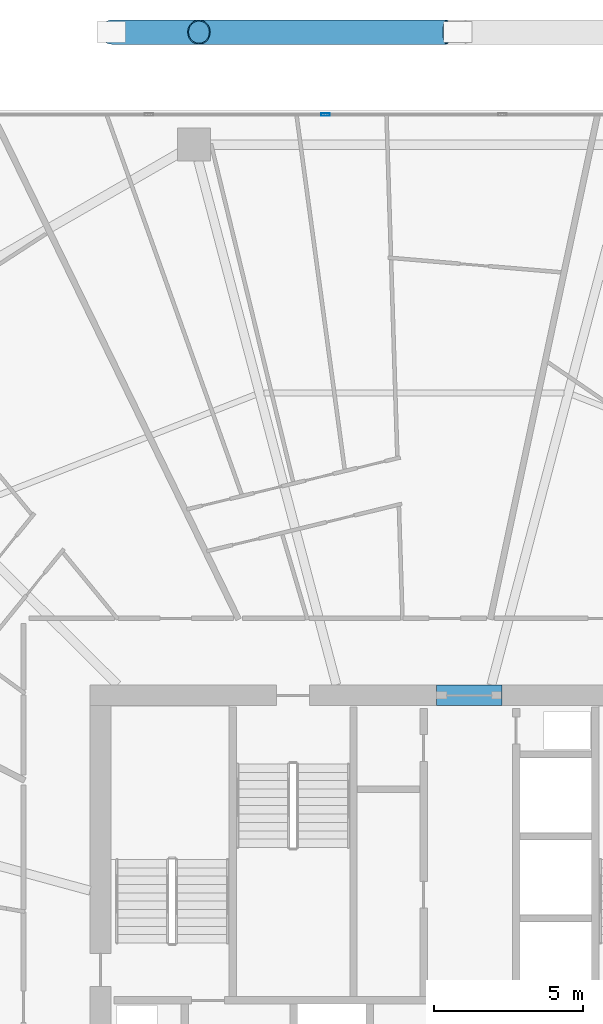
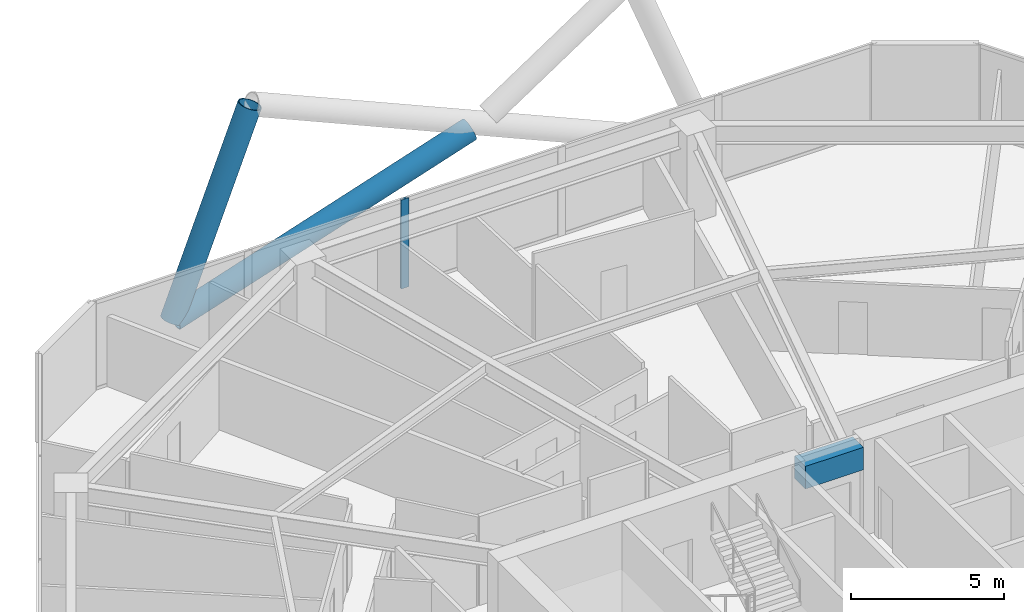
# One storey, part 18 of 35: 3 members, 1 beam, 1 element without a shape of its own.
"""IFC4 building model written with IfcOpenShell, lengths in metres."""

from ifc_helpers import new_model, si_unit, direction, frame, origin, origin_2d, place, context, subcontext, project, spatial, rectangle, hollow_rectangle, hollow_circle, extrude, material, material_profile, profile_set, type_object, element, aggregate, save


model = new_model("IFC4")

# Units and contexts
model_context = context("Model", 3, precision=1e-05, world=origin(), true_north=direction((0.0, 1.0)))
body_context = subcontext(model_context, "Body", "Model", "MODEL_VIEW")
ifc_project = project(units=[si_unit("LENGTHUNIT", "METRE"), si_unit("AREAUNIT", "SQUARE_METRE"), si_unit("VOLUMEUNIT", "CUBIC_METRE"), si_unit("PLANEANGLEUNIT", "RADIAN"), si_unit("MASSUNIT", "GRAM", prefix="KILO")], contexts=[model_context])

# Site, building, storey
site_placement = place(None, origin())
site = spatial("IfcSite", under=ifc_project, at=site_placement, CompositionType="ELEMENT")
building_placement = place(site_placement, origin())
building = spatial("IfcBuilding", under=site, at=building_placement, Name="Zuhravey Tower", CompositionType="ELEMENT")
storey_placement = place(building_placement, frame((0.0, 0.0, 122.800048828125)))
storey = spatial("IfcBuildingStorey", under=building, at=storey_placement, Name="L30", CompositionType="ELEMENT", Elevation=122.800048828125)

# Beam
ifc_material_1 = material(Name="Concrete C60/75", Category="concrete")
ifc_material_profile_1 = material_profile(ifc_material_1, rectangle(XDim=0.699951171875, YDim=0.89990234375, at=origin_2d()), Name="RC-700x900")
ifc_profile_set_1 = profile_set([ifc_material_profile_1], Name="Concrete C60/75")
beam_type = type_object("IfcBeamType", Name="Core Coupling Beam RC700x900", PredefinedType="LINTEL", material=ifc_profile_set_1)
beam_placement = place(storey_placement, frame((36.751953125, 41.5, 3.099853515625), z_axis=(1.0, 0.0, 0.0), x_axis=(0.0, 1.0, 0.0)))
element("IfcBeam", 1, at=beam_placement, inside=storey, type_object=beam_type, Name="L30 CB1 BM-L30-CB-N", PredefinedType="LINTEL", context=body_context, shape_type="SweptSolid", body=[
    extrude(rectangle(XDim=0.699951171875, YDim=0.89990234375, at=origin_2d()), origin(), (0.0, 0.0, 1.0), 2.196044921875),
])

# Curtain wall, member
ifc_material_2 = material(Name="Thermally broken anodised aluminium", Category="aluminium")
curtain_wall_type = type_object("IfcCurtainWallType", Name="Zone 1-2 Residential Curtain Wall CW3", PredefinedType="NOTDEFINED", material=ifc_material_2)
curtain_wall_placement = place(storey_placement, origin())
curtain_wall = element("IfcCurtainWall", 2, at=curtain_wall_placement, inside=storey, type_object=curtain_wall_type, Name="L30 CW3 CW-L30-F2-1", PredefinedType="NOTDEFINED")
ifc_material_3 = material(Name="Anodised aluminium", Category="aluminium")
ifc_material_profile_2 = material_profile(ifc_material_3, hollow_rectangle(XDim=0.090087890625, YDim=0.284912109375, WallThickness=0.0048828125, at=origin_2d()), Name="ALU-RHS-90x285x5")
ifc_profile_set_2 = profile_set([ifc_material_profile_2], Name="Anodised aluminium")
member_type_1 = type_object("IfcMemberType", Name="Curtain-Wall Mullion 90x180", PredefinedType="MULLION", material=ifc_profile_set_2)
member_1_placement = place(storey_placement, frame((33.0400390625, 60.95849609375, 0.0), z_axis=(0.0, 0.0, 1.0), x_axis=(0.0, 1.0, 0.0)))
member_1 = element("IfcMember", 3, at=member_1_placement, type_object=member_type_1, Name="CW3 mullion 3", PredefinedType="MULLION", context=body_context, shape_type="SweptSolid", body=[
    extrude(hollow_rectangle(XDim=0.090087890625, YDim=0.284912109375, WallThickness=0.0048828125, at=origin_2d()), origin(), (0.0, 0.0, 1.0), 3.550048828125),
])
aggregate(curtain_wall, [member_1])

# Members
ifc_material_4 = material(Name="Steel SM460", Category="steel")
ifc_material_profile_3 = material_profile(ifc_material_4, hollow_circle(Radius=0.406494140625, WallThickness=0.035888671875, at=origin_2d()), Name="CHS-812.8x36")
ifc_profile_set_3 = profile_set([ifc_material_profile_3], Name="Steel SM460")
member_type_2 = type_object("IfcMemberType", Name="Exoskeleton Zone 1 Diagrid CHS813x36", PredefinedType="BRACE", material=ifc_profile_set_3)
member_2_placement = place(storey_placement, frame((25.871826171875, 63.718505859375, -0.442138671875), z_axis=(0.361082010656, 0.0, 0.932534064569), x_axis=(0.0, 1.0, 0.0)))
element("IfcMember", 4, at=member_2_placement, inside=storey, type_object=member_type_2, Name="L30 Face 2 Diagrid Brace 4", PredefinedType="BRACE", context=body_context, shape_type="SweptSolid", body=[
    extrude(hollow_circle(Radius=0.406494140625, WallThickness=0.035888671875, at=origin_2d()), origin(), (0.0, 0.0, 1.0), 8.102783203125),
])
member_3_placement = place(storey_placement, frame((25.915283203125, 63.718505859375, -0.447021484375), z_axis=(0.950373477591, 0.0, 0.311111319453), x_axis=(0.0, 1.0, 0.0)))
element("IfcMember", 5, at=member_3_placement, inside=storey, type_object=member_type_2, Name="L30 Face 2 Split Diagrid Brace 3A", PredefinedType="BRACE", context=body_context, shape_type="SweptSolid", body=[
    extrude(hollow_circle(Radius=0.406494140625, WallThickness=0.035888671875, at=origin_2d()), origin(), (0.0, 0.0, 1.0), 11.76318359375),
])

save(model, "model.ifc")
